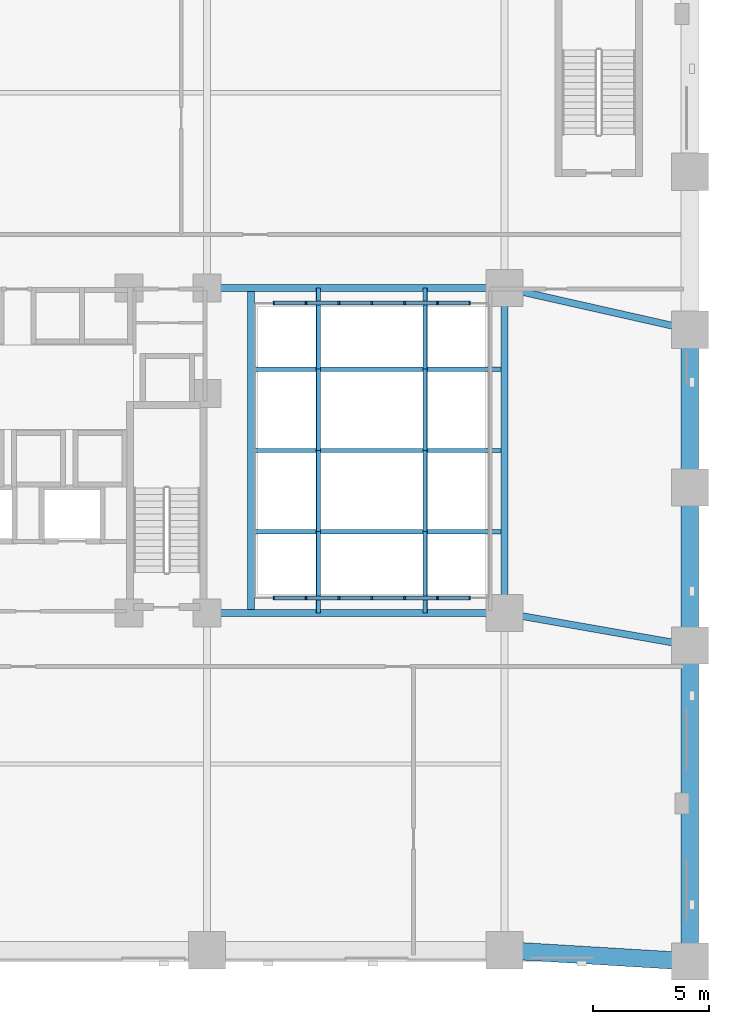
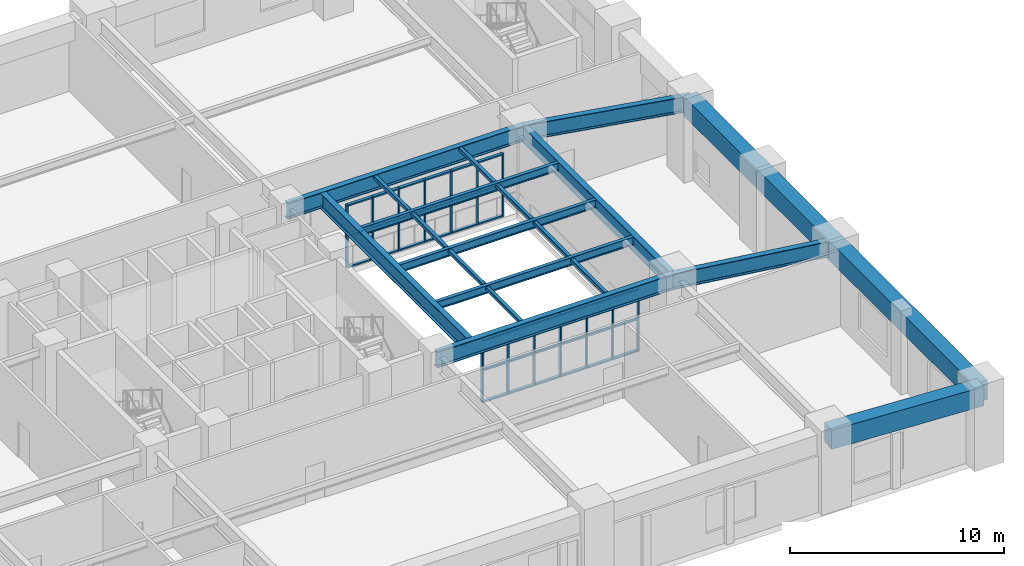
# One storey, part 2 of 11: 58 members, 13 beams, 2 elements without a shape of their own.
"""IFC4 building model written with IfcOpenShell, lengths in metres."""

from ifc_helpers import new_model, si_unit, derived_unit, direction, frame, origin, origin_2d, place, context, subcontext, project, spatial, rectangle, hollow_rectangle, i_section, extrude, material, material_profile, profile_set, type_object, element, aggregate, save


model = new_model("IFC4")

# Units and contexts
model_context = context("Model", 3, precision=1e-05, world=origin(), true_north=direction((0.0, 1.0)))
body_context = subcontext(model_context, "Body", "Model", "MODEL_VIEW")
ifc_project = project(units=[si_unit("LENGTHUNIT", "METRE"), si_unit("AREAUNIT", "SQUARE_METRE"), si_unit("VOLUMEUNIT", "CUBIC_METRE"), si_unit("PLANEANGLEUNIT", "RADIAN"), si_unit("MASSUNIT", "GRAM", prefix="KILO"), derived_unit("THERMALTRANSMITTANCEUNIT", [(si_unit("MASSUNIT", "GRAM", prefix="KILO"), 1), (si_unit("TIMEUNIT", "SECOND"), -3), (si_unit("THERMODYNAMICTEMPERATUREUNIT", "KELVIN"), -1)])], contexts=[model_context])

# Site, building, storey
site_placement = place(None, origin())
site = spatial("IfcSite", under=ifc_project, at=site_placement, CompositionType="ELEMENT")
building_placement = place(site_placement, origin())
building = spatial("IfcBuilding", under=site, at=building_placement, Name="Korrvale Station Residences", CompositionType="ELEMENT")
storey_placement = place(building_placement, frame((0.0, 0.0, 16.0)))
storey = spatial("IfcBuildingStorey", under=building, at=storey_placement, Name="L03", CompositionType="ELEMENT", Elevation=16.0)

# Beams
ifc_material_1 = material(Name="Steel S355", Category="steel")
ifc_material_profile_1 = material_profile(ifc_material_1, i_section(OverallWidth=0.300048828125, OverallDepth=0.89990234375, WebThickness=0.01611328125, FlangeThickness=0.030029296875, FilletRadius=0.01611328125, at=origin_2d()), Name="WWF900x262")
ifc_profile_set_1 = profile_set([ifc_material_profile_1], Name="Steel S355")
beam_type_1 = type_object("IfcBeamType", Name="BM-BM-WWF900x262-S355", PredefinedType="BEAM", material=ifc_profile_set_1)
beam_1_placement = place(storey_placement, frame((46.02001953125, 15.0, 3.89990234375), z_axis=(0.0, 1.0, 0.0), x_axis=(-1.0, 0.0, 0.0)))
element("IfcBeam", 1, at=beam_1_placement, inside=storey, type_object=beam_type_1, Name="L03 Station Primary Girder 05", PredefinedType="BEAM", context=body_context, shape_type="SweptSolid", body=[
    extrude(i_section(OverallWidth=0.300048828125, OverallDepth=0.89990234375, WebThickness=0.01611328125, FlangeThickness=0.030029296875, FilletRadius=0.01611328125, at=origin_2d()), origin(), (0.0, 0.0, 1.0), 14.0),
])
beam_2_placement = place(storey_placement, frame((46.02001953125, 15.0, 3.89990234375), z_axis=(0.98495900412, -0.172788194628, 0.0), x_axis=(0.172788194628, 0.98495900412, 0.0)))
element("IfcBeam", 2, at=beam_2_placement, inside=storey, type_object=beam_type_1, Name="L03 Station Primary Girder 13", PredefinedType="BEAM", context=body_context, shape_type="SweptSolid", body=[
    extrude(i_section(OverallWidth=0.300048828125, OverallDepth=0.89990234375, WebThickness=0.01611328125, FlangeThickness=0.030029296875, FilletRadius=0.01611328125, at=origin_2d()), origin(), (0.0, 0.0, 1.0), 8.101806640625),
])
beam_3_placement = place(storey_placement, frame((46.02001953125, 29.0, 3.89990234375), z_axis=(0.975490412643, -0.220041938824, 0.0), x_axis=(0.220041938824, 0.975490412643, 0.0)))
element("IfcBeam", 3, at=beam_3_placement, inside=storey, type_object=beam_type_1, Name="L03 Station Primary Girder 14", PredefinedType="BEAM", context=body_context, shape_type="SweptSolid", body=[
    extrude(i_section(OverallWidth=0.300048828125, OverallDepth=0.89990234375, WebThickness=0.01611328125, FlangeThickness=0.030029296875, FilletRadius=0.01611328125, at=origin_2d()), origin(), (0.0, 0.0, 1.0), 8.180419921875),
])
for number, where, z_axis, x_axis, name in (
    (4, (33.199951171875, 15.0, 3.89990234375), (1.0, 0.0, 0.0), (0.0, 1.0, 0.0), "L03 Station Primary Girder 15"),
    (5, (33.199951171875, 29.0, 3.89990234375), (1.0, 0.0, 0.0), (0.0, 1.0, 0.0), "L03 Station Primary Girder 16"),
):
    element("IfcBeam", number, at=place(storey_placement, frame(where, z_axis=z_axis, x_axis=x_axis)), inside=storey, type_object=beam_type_1, Name=name, PredefinedType="BEAM", context=body_context, shape_type="SweptSolid", body=[
        extrude(i_section(OverallWidth=0.300048828125, OverallDepth=0.89990234375, WebThickness=0.01611328125, FlangeThickness=0.030029296875, FilletRadius=0.01611328125, at=origin_2d()), origin(), (0.0, 0.0, 1.0), 12.820068359375),
    ])
beam_4_placement = place(storey_placement, frame((35.10009765625, 15.14990234375, 3.89990234375), z_axis=(0.0, 1.0, 0.0), x_axis=(-1.0, 0.0, 0.0)))
element("IfcBeam", 6, at=beam_4_placement, inside=storey, type_object=beam_type_1, Name="L03 Atrium West Edge Girder", PredefinedType="BEAM", context=body_context, shape_type="SweptSolid", body=[
    extrude(i_section(OverallWidth=0.300048828125, OverallDepth=0.89990234375, WebThickness=0.01611328125, FlangeThickness=0.030029296875, FilletRadius=0.01611328125, at=origin_2d()), origin(), (0.0, 0.0, 1.0), 13.7001953125),
])
ifc_material_profile_2 = material_profile(ifc_material_1, i_section(OverallWidth=0.18994140625, OverallDepth=0.45703125, WebThickness=0.009033203125, FlangeThickness=0.014404296875, FilletRadius=0.01611328125, at=origin_2d()), Name="W460x74")
ifc_profile_set_2 = profile_set([ifc_material_profile_2], Name="Steel S355")
beam_type_2 = type_object("IfcBeamType", Name="BM-JST-W460x74-S355", PredefinedType="JOIST", material=ifc_profile_set_2)
for number, where, z_axis, x_axis, name in (
    (7, (35.25, 18.5, 4.12158203125), (1.0, 0.0, 0.0), (0.0, 1.0, 0.0), "L03 Atrium Skylight Support Beam 1"),
    (8, (35.25, 22.0, 4.12158203125), (1.0, 0.0, 0.0), (0.0, 1.0, 0.0), "L03 Atrium Skylight Support Beam 2"),
    (9, (35.25, 25.5, 4.12158203125), (1.0, 0.0, 0.0), (0.0, 1.0, 0.0), "L03 Atrium Skylight Support Beam 3"),
):
    element("IfcBeam", number, at=place(storey_placement, frame(where, z_axis=z_axis, x_axis=x_axis)), inside=storey, type_object=beam_type_2, Name=name, PredefinedType="JOIST", context=body_context, shape_type="SweptSolid", body=[
        extrude(i_section(OverallWidth=0.18994140625, OverallDepth=0.45703125, WebThickness=0.009033203125, FlangeThickness=0.014404296875, FilletRadius=0.01611328125, at=origin_2d()), origin(), (0.0, 0.0, 1.0), 10.6201171875),
    ])
ifc_material_2 = material(Name="Concrete C70/85", Category="concrete")
ifc_material_profile_3 = material_profile(ifc_material_2, rectangle(XDim=0.75, YDim=1.10009765625, at=origin_2d()), Name="RCB750x1100")
ifc_profile_set_3 = profile_set([ifc_material_profile_3], Name="Concrete C70/85")
beam_type_3 = type_object("IfcBeamType", Name="BM-SPB-RCB750x1100-C7085", PredefinedType="SPANDREL", material=ifc_profile_set_3)
beam_5_placement = place(storey_placement, frame((54.0, 0.0, 3.800048828125), z_axis=(0.0, 1.0, 0.0), x_axis=(-1.0, 0.0, 0.0)))
element("IfcBeam", 10, at=beam_5_placement, inside=storey, type_object=beam_type_3, Name="L03 Station Spandrel Beam 06", PredefinedType="SPANDREL", context=body_context, shape_type="SweptSolid", body=[
    extrude(rectangle(XDim=0.75, YDim=1.10009765625, at=origin_2d()), origin(), (0.0, 0.0, 1.0), 13.60009765625),
])
beam_6_placement = place(storey_placement, frame((54.0, 13.60009765625, 3.800048828125), z_axis=(0.0, 1.0, 0.0), x_axis=(-1.0, 0.0, 0.0)))
element("IfcBeam", 11, at=beam_6_placement, inside=storey, type_object=beam_type_3, Name="L03 Station Spandrel Beam 07", PredefinedType="SPANDREL", context=body_context, shape_type="SweptSolid", body=[
    extrude(rectangle(XDim=0.75, YDim=1.10009765625, at=origin_2d()), origin(), (0.0, 0.0, 1.0), 6.7998046875),
])
beam_7_placement = place(storey_placement, frame((54.0, 20.39990234375, 3.800048828125), z_axis=(0.0, 1.0, 0.0), x_axis=(-1.0, 0.0, 0.0)))
element("IfcBeam", 12, at=beam_7_placement, inside=storey, type_object=beam_type_3, Name="L03 Station Spandrel Beam 08", PredefinedType="SPANDREL", context=body_context, shape_type="SweptSolid", body=[
    extrude(rectangle(XDim=0.75, YDim=1.10009765625, at=origin_2d()), origin(), (0.0, 0.0, 1.0), 6.800048828125),
])
beam_8_placement = place(storey_placement, frame((46.02001953125, 0.47998046875, 3.800048828125), z_axis=(0.998195997903, -0.060039568374, 0.0), x_axis=(0.060039568374, 0.998195997903, 0.0)))
element("IfcBeam", 13, at=beam_8_placement, inside=storey, type_object=beam_type_3, Name="L03 Station Spandrel Beam 15", PredefinedType="SPANDREL", context=body_context, shape_type="SweptSolid", body=[
    extrude(rectangle(XDim=0.75, YDim=1.10009765625, at=origin_2d()), origin(), (0.0, 0.0, 1.0), 7.994384765625),
])

# Curtain wall, members
ifc_material_3 = material(Name="Unitised thermally broken aluminium curtain wall with triple low-e IGU", Category="aluminium")
curtain_wall_type = type_object("IfcCurtainWallType", Name="CW-ATR-POD", PredefinedType="NOTDEFINED", material=ifc_material_3)
curtain_wall_1_placement = place(storey_placement, origin())
curtain_wall_1 = element("IfcCurtainWall", 14, at=curtain_wall_1_placement, inside=storey, type_object=curtain_wall_type, Name="L03 Curtain Wall CW3-RUN-5", PredefinedType="NOTDEFINED")
ifc_material_4 = material(Name="Extruded thermally broken aluminium mullion", Category="aluminium")
member_type_1 = type_object("IfcMemberType", Name="CW-ATR-POD-M", PredefinedType="MULLION", material=ifc_material_4)
member_1_placement = place(storey_placement, frame((36.090087890625, 15.64990234375, 0.0), z_axis=(0.0, 0.0, 1.0), x_axis=(1.0, 0.0, 0.0)))
member_1 = element("IfcMember", 15, at=member_1_placement, type_object=member_type_1, Name="CW-ATR-POD Mullion 1", PredefinedType="MULLION", context=body_context, shape_type="SweptSolid", body=[
    extrude(rectangle(XDim=0.080078125, YDim=0.1650390625, at=origin_2d()), origin(), (0.0, 0.0, 1.0), 3.60009765625),
])
member_2_placement = place(storey_placement, frame((37.466796875, 15.64990234375, 0.0), z_axis=(0.0, 0.0, 1.0), x_axis=(1.0, 0.0, 0.0)))
member_2 = element("IfcMember", 16, at=member_2_placement, type_object=member_type_1, Name="CW-ATR-POD Mullion 2", PredefinedType="MULLION", context=body_context, shape_type="SweptSolid", body=[
    extrude(rectangle(XDim=0.080078125, YDim=0.1650390625, at=origin_2d()), origin(), (0.0, 0.0, 1.0), 3.60009765625),
])
member_3_placement = place(storey_placement, frame((38.88330078125, 15.64990234375, 0.0), z_axis=(0.0, 0.0, 1.0), x_axis=(1.0, 0.0, 0.0)))
member_3 = element("IfcMember", 17, at=member_3_placement, type_object=member_type_1, Name="CW-ATR-POD Mullion 3", PredefinedType="MULLION", context=body_context, shape_type="SweptSolid", body=[
    extrude(rectangle(XDim=0.080078125, YDim=0.1650390625, at=origin_2d()), origin(), (0.0, 0.0, 1.0), 3.60009765625),
])
member_4_placement = place(storey_placement, frame((40.300048828125, 15.64990234375, 0.0), z_axis=(0.0, 0.0, 1.0), x_axis=(1.0, 0.0, 0.0)))
member_4 = element("IfcMember", 18, at=member_4_placement, type_object=member_type_1, Name="CW-ATR-POD Mullion 4", PredefinedType="MULLION", context=body_context, shape_type="SweptSolid", body=[
    extrude(rectangle(XDim=0.080078125, YDim=0.1650390625, at=origin_2d()), origin(), (0.0, 0.0, 1.0), 3.60009765625),
])
member_5_placement = place(storey_placement, frame((41.716796875, 15.64990234375, 0.0), z_axis=(0.0, 0.0, 1.0), x_axis=(1.0, 0.0, 0.0)))
member_5 = element("IfcMember", 19, at=member_5_placement, type_object=member_type_1, Name="CW-ATR-POD Mullion 5", PredefinedType="MULLION", context=body_context, shape_type="SweptSolid", body=[
    extrude(rectangle(XDim=0.080078125, YDim=0.1650390625, at=origin_2d()), origin(), (0.0, 0.0, 1.0), 3.60009765625),
])
member_6_placement = place(storey_placement, frame((43.13330078125, 15.64990234375, 0.0), z_axis=(0.0, 0.0, 1.0), x_axis=(1.0, 0.0, 0.0)))
member_6 = element("IfcMember", 20, at=member_6_placement, type_object=member_type_1, Name="CW-ATR-POD Mullion 6", PredefinedType="MULLION", context=body_context, shape_type="SweptSolid", body=[
    extrude(rectangle(XDim=0.080078125, YDim=0.1650390625, at=origin_2d()), origin(), (0.0, 0.0, 1.0), 3.60009765625),
])
member_7_placement = place(storey_placement, frame((44.510009765625, 15.64990234375, 0.0), z_axis=(0.0, 0.0, 1.0), x_axis=(1.0, 0.0, 0.0)))
member_7 = element("IfcMember", 21, at=member_7_placement, type_object=member_type_1, Name="CW-ATR-POD Mullion 7", PredefinedType="MULLION", context=body_context, shape_type="SweptSolid", body=[
    extrude(rectangle(XDim=0.080078125, YDim=0.1650390625, at=origin_2d()), origin(), (0.0, 0.0, 1.0), 3.60009765625),
])

curtain_wall_2_placement = place(storey_placement, origin())
curtain_wall_2 = element("IfcCurtainWall", 22, at=curtain_wall_2_placement, inside=storey, type_object=curtain_wall_type, Name="L03 Curtain Wall CW3-RUN-6", PredefinedType="NOTDEFINED")
member_8_placement = place(storey_placement, frame((36.090087890625, 28.35009765625, 0.0), z_axis=(0.0, 0.0, 1.0), x_axis=(1.0, 0.0, 0.0)))
member_8 = element("IfcMember", 23, at=member_8_placement, type_object=member_type_1, Name="CW-ATR-POD Mullion 1", PredefinedType="MULLION", context=body_context, shape_type="SweptSolid", body=[
    extrude(rectangle(XDim=0.080078125, YDim=0.1650390625, at=origin_2d()), origin(), (0.0, 0.0, 1.0), 3.60009765625),
])
member_9_placement = place(storey_placement, frame((37.466796875, 28.35009765625, 0.0), z_axis=(0.0, 0.0, 1.0), x_axis=(1.0, 0.0, 0.0)))
member_9 = element("IfcMember", 24, at=member_9_placement, type_object=member_type_1, Name="CW-ATR-POD Mullion 2", PredefinedType="MULLION", context=body_context, shape_type="SweptSolid", body=[
    extrude(rectangle(XDim=0.080078125, YDim=0.1650390625, at=origin_2d()), origin(), (0.0, 0.0, 1.0), 3.60009765625),
])
member_10_placement = place(storey_placement, frame((38.88330078125, 28.35009765625, 0.0), z_axis=(0.0, 0.0, 1.0), x_axis=(1.0, 0.0, 0.0)))
member_10 = element("IfcMember", 25, at=member_10_placement, type_object=member_type_1, Name="CW-ATR-POD Mullion 3", PredefinedType="MULLION", context=body_context, shape_type="SweptSolid", body=[
    extrude(rectangle(XDim=0.080078125, YDim=0.1650390625, at=origin_2d()), origin(), (0.0, 0.0, 1.0), 3.60009765625),
])
member_11_placement = place(storey_placement, frame((40.300048828125, 28.35009765625, 0.0), z_axis=(0.0, 0.0, 1.0), x_axis=(1.0, 0.0, 0.0)))
member_11 = element("IfcMember", 26, at=member_11_placement, type_object=member_type_1, Name="CW-ATR-POD Mullion 4", PredefinedType="MULLION", context=body_context, shape_type="SweptSolid", body=[
    extrude(rectangle(XDim=0.080078125, YDim=0.1650390625, at=origin_2d()), origin(), (0.0, 0.0, 1.0), 3.60009765625),
])
member_12_placement = place(storey_placement, frame((41.716796875, 28.35009765625, 0.0), z_axis=(0.0, 0.0, 1.0), x_axis=(1.0, 0.0, 0.0)))
member_12 = element("IfcMember", 27, at=member_12_placement, type_object=member_type_1, Name="CW-ATR-POD Mullion 5", PredefinedType="MULLION", context=body_context, shape_type="SweptSolid", body=[
    extrude(rectangle(XDim=0.080078125, YDim=0.1650390625, at=origin_2d()), origin(), (0.0, 0.0, 1.0), 3.60009765625),
])
member_13_placement = place(storey_placement, frame((43.13330078125, 28.35009765625, 0.0), z_axis=(0.0, 0.0, 1.0), x_axis=(1.0, 0.0, 0.0)))
member_13 = element("IfcMember", 28, at=member_13_placement, type_object=member_type_1, Name="CW-ATR-POD Mullion 6", PredefinedType="MULLION", context=body_context, shape_type="SweptSolid", body=[
    extrude(rectangle(XDim=0.080078125, YDim=0.1650390625, at=origin_2d()), origin(), (0.0, 0.0, 1.0), 3.60009765625),
])
member_14_placement = place(storey_placement, frame((44.510009765625, 28.35009765625, 0.0), z_axis=(0.0, 0.0, 1.0), x_axis=(1.0, 0.0, 0.0)))
member_14 = element("IfcMember", 29, at=member_14_placement, type_object=member_type_1, Name="CW-ATR-POD Mullion 7", PredefinedType="MULLION", context=body_context, shape_type="SweptSolid", body=[
    extrude(rectangle(XDim=0.080078125, YDim=0.1650390625, at=origin_2d()), origin(), (0.0, 0.0, 1.0), 3.60009765625),
])

# Member
ifc_material_5 = material(Name="Extruded thermally broken aluminium transom", Category="aluminium")
member_type_2 = type_object("IfcMemberType", Name="CW-ATR-POD-T", PredefinedType="USERDEFINED", material=ifc_material_5)
member_15_placement = place(storey_placement, frame((36.75830078125, 15.64990234375, 0.0), z_axis=(0.0, 0.0, 1.0), x_axis=(1.0, 0.0, 0.0)))
member_15 = element("IfcMember", 30, at=member_15_placement, type_object=member_type_2, Name="CW-ATR-POD Transom 1-1", ObjectType="TRANSOM", PredefinedType="USERDEFINED", context=body_context, shape_type="SweptSolid", body=[
    extrude(rectangle(XDim=1.336669921875, YDim=0.1650390625, at=origin_2d()), origin(), (0.0, 0.0, 1.0), 0.080078125),
])

member_16_placement = place(storey_placement, frame((36.75830078125, 15.64990234375, 1.81005859375), z_axis=(0.0, 0.0, 1.0), x_axis=(1.0, 0.0, 0.0)))
member_16 = element("IfcMember", 31, at=member_16_placement, type_object=member_type_2, Name="CW-ATR-POD Transom 1-2", ObjectType="TRANSOM", PredefinedType="USERDEFINED", context=body_context, shape_type="SweptSolid", body=[
    extrude(rectangle(XDim=1.336669921875, YDim=0.1650390625, at=origin_2d()), origin(), (0.0, 0.0, 1.0), 0.080078125),
])

member_17_placement = place(storey_placement, frame((36.75830078125, 15.64990234375, 3.52001953125), z_axis=(0.0, 0.0, 1.0), x_axis=(1.0, 0.0, 0.0)))
member_17 = element("IfcMember", 32, at=member_17_placement, type_object=member_type_2, Name="CW-ATR-POD Transom 1-3", ObjectType="TRANSOM", PredefinedType="USERDEFINED", context=body_context, shape_type="SweptSolid", body=[
    extrude(rectangle(XDim=1.336669921875, YDim=0.1650390625, at=origin_2d()), origin(), (0.0, 0.0, 1.0), 0.080078125),
])

member_18_placement = place(storey_placement, frame((38.175048828125, 15.64990234375, 0.0), z_axis=(0.0, 0.0, 1.0), x_axis=(1.0, 0.0, 0.0)))
member_18 = element("IfcMember", 33, at=member_18_placement, type_object=member_type_2, Name="CW-ATR-POD Transom 2-1", ObjectType="TRANSOM", PredefinedType="USERDEFINED", context=body_context, shape_type="SweptSolid", body=[
    extrude(rectangle(XDim=1.336669921875, YDim=0.1650390625, at=origin_2d()), origin(), (0.0, 0.0, 1.0), 0.080078125),
])

member_19_placement = place(storey_placement, frame((38.175048828125, 15.64990234375, 1.81005859375), z_axis=(0.0, 0.0, 1.0), x_axis=(1.0, 0.0, 0.0)))
member_19 = element("IfcMember", 34, at=member_19_placement, type_object=member_type_2, Name="CW-ATR-POD Transom 2-2", ObjectType="TRANSOM", PredefinedType="USERDEFINED", context=body_context, shape_type="SweptSolid", body=[
    extrude(rectangle(XDim=1.336669921875, YDim=0.1650390625, at=origin_2d()), origin(), (0.0, 0.0, 1.0), 0.080078125),
])

member_20_placement = place(storey_placement, frame((38.175048828125, 15.64990234375, 3.52001953125), z_axis=(0.0, 0.0, 1.0), x_axis=(1.0, 0.0, 0.0)))
member_20 = element("IfcMember", 35, at=member_20_placement, type_object=member_type_2, Name="CW-ATR-POD Transom 2-3", ObjectType="TRANSOM", PredefinedType="USERDEFINED", context=body_context, shape_type="SweptSolid", body=[
    extrude(rectangle(XDim=1.336669921875, YDim=0.1650390625, at=origin_2d()), origin(), (0.0, 0.0, 1.0), 0.080078125),
])

member_21_placement = place(storey_placement, frame((39.591796875, 15.64990234375, 0.0), z_axis=(0.0, 0.0, 1.0), x_axis=(1.0, 0.0, 0.0)))
member_21 = element("IfcMember", 36, at=member_21_placement, type_object=member_type_2, Name="CW-ATR-POD Transom 3-1", ObjectType="TRANSOM", PredefinedType="USERDEFINED", context=body_context, shape_type="SweptSolid", body=[
    extrude(rectangle(XDim=1.336669921875, YDim=0.1650390625, at=origin_2d()), origin(), (0.0, 0.0, 1.0), 0.080078125),
])

member_22_placement = place(storey_placement, frame((39.591796875, 15.64990234375, 1.81005859375), z_axis=(0.0, 0.0, 1.0), x_axis=(1.0, 0.0, 0.0)))
member_22 = element("IfcMember", 37, at=member_22_placement, type_object=member_type_2, Name="CW-ATR-POD Transom 3-2", ObjectType="TRANSOM", PredefinedType="USERDEFINED", context=body_context, shape_type="SweptSolid", body=[
    extrude(rectangle(XDim=1.336669921875, YDim=0.1650390625, at=origin_2d()), origin(), (0.0, 0.0, 1.0), 0.080078125),
])

member_23_placement = place(storey_placement, frame((39.591796875, 15.64990234375, 3.52001953125), z_axis=(0.0, 0.0, 1.0), x_axis=(1.0, 0.0, 0.0)))
member_23 = element("IfcMember", 38, at=member_23_placement, type_object=member_type_2, Name="CW-ATR-POD Transom 3-3", ObjectType="TRANSOM", PredefinedType="USERDEFINED", context=body_context, shape_type="SweptSolid", body=[
    extrude(rectangle(XDim=1.336669921875, YDim=0.1650390625, at=origin_2d()), origin(), (0.0, 0.0, 1.0), 0.080078125),
])

member_24_placement = place(storey_placement, frame((41.00830078125, 15.64990234375, 0.0), z_axis=(0.0, 0.0, 1.0), x_axis=(1.0, 0.0, 0.0)))
member_24 = element("IfcMember", 39, at=member_24_placement, type_object=member_type_2, Name="CW-ATR-POD Transom 4-1", ObjectType="TRANSOM", PredefinedType="USERDEFINED", context=body_context, shape_type="SweptSolid", body=[
    extrude(rectangle(XDim=1.336669921875, YDim=0.1650390625, at=origin_2d()), origin(), (0.0, 0.0, 1.0), 0.080078125),
])

member_25_placement = place(storey_placement, frame((41.00830078125, 15.64990234375, 1.81005859375), z_axis=(0.0, 0.0, 1.0), x_axis=(1.0, 0.0, 0.0)))
member_25 = element("IfcMember", 40, at=member_25_placement, type_object=member_type_2, Name="CW-ATR-POD Transom 4-2", ObjectType="TRANSOM", PredefinedType="USERDEFINED", context=body_context, shape_type="SweptSolid", body=[
    extrude(rectangle(XDim=1.336669921875, YDim=0.1650390625, at=origin_2d()), origin(), (0.0, 0.0, 1.0), 0.080078125),
])

member_26_placement = place(storey_placement, frame((41.00830078125, 15.64990234375, 3.52001953125), z_axis=(0.0, 0.0, 1.0), x_axis=(1.0, 0.0, 0.0)))
member_26 = element("IfcMember", 41, at=member_26_placement, type_object=member_type_2, Name="CW-ATR-POD Transom 4-3", ObjectType="TRANSOM", PredefinedType="USERDEFINED", context=body_context, shape_type="SweptSolid", body=[
    extrude(rectangle(XDim=1.336669921875, YDim=0.1650390625, at=origin_2d()), origin(), (0.0, 0.0, 1.0), 0.080078125),
])

member_27_placement = place(storey_placement, frame((42.425048828125, 15.64990234375, 0.0), z_axis=(0.0, 0.0, 1.0), x_axis=(1.0, 0.0, 0.0)))
member_27 = element("IfcMember", 42, at=member_27_placement, type_object=member_type_2, Name="CW-ATR-POD Transom 5-1", ObjectType="TRANSOM", PredefinedType="USERDEFINED", context=body_context, shape_type="SweptSolid", body=[
    extrude(rectangle(XDim=1.336669921875, YDim=0.1650390625, at=origin_2d()), origin(), (0.0, 0.0, 1.0), 0.080078125),
])

member_28_placement = place(storey_placement, frame((42.425048828125, 15.64990234375, 1.81005859375), z_axis=(0.0, 0.0, 1.0), x_axis=(1.0, 0.0, 0.0)))
member_28 = element("IfcMember", 43, at=member_28_placement, type_object=member_type_2, Name="CW-ATR-POD Transom 5-2", ObjectType="TRANSOM", PredefinedType="USERDEFINED", context=body_context, shape_type="SweptSolid", body=[
    extrude(rectangle(XDim=1.336669921875, YDim=0.1650390625, at=origin_2d()), origin(), (0.0, 0.0, 1.0), 0.080078125),
])

member_29_placement = place(storey_placement, frame((42.425048828125, 15.64990234375, 3.52001953125), z_axis=(0.0, 0.0, 1.0), x_axis=(1.0, 0.0, 0.0)))
member_29 = element("IfcMember", 44, at=member_29_placement, type_object=member_type_2, Name="CW-ATR-POD Transom 5-3", ObjectType="TRANSOM", PredefinedType="USERDEFINED", context=body_context, shape_type="SweptSolid", body=[
    extrude(rectangle(XDim=1.336669921875, YDim=0.1650390625, at=origin_2d()), origin(), (0.0, 0.0, 1.0), 0.080078125),
])

member_30_placement = place(storey_placement, frame((43.841796875, 15.64990234375, 0.0), z_axis=(0.0, 0.0, 1.0), x_axis=(1.0, 0.0, 0.0)))
member_30 = element("IfcMember", 45, at=member_30_placement, type_object=member_type_2, Name="CW-ATR-POD Transom 6-1", ObjectType="TRANSOM", PredefinedType="USERDEFINED", context=body_context, shape_type="SweptSolid", body=[
    extrude(rectangle(XDim=1.336669921875, YDim=0.1650390625, at=origin_2d()), origin(), (0.0, 0.0, 1.0), 0.080078125),
])

member_31_placement = place(storey_placement, frame((43.841796875, 15.64990234375, 1.81005859375), z_axis=(0.0, 0.0, 1.0), x_axis=(1.0, 0.0, 0.0)))
member_31 = element("IfcMember", 46, at=member_31_placement, type_object=member_type_2, Name="CW-ATR-POD Transom 6-2", ObjectType="TRANSOM", PredefinedType="USERDEFINED", context=body_context, shape_type="SweptSolid", body=[
    extrude(rectangle(XDim=1.336669921875, YDim=0.1650390625, at=origin_2d()), origin(), (0.0, 0.0, 1.0), 0.080078125),
])

member_32_placement = place(storey_placement, frame((43.841796875, 15.64990234375, 3.52001953125), z_axis=(0.0, 0.0, 1.0), x_axis=(1.0, 0.0, 0.0)))
member_32 = element("IfcMember", 47, at=member_32_placement, type_object=member_type_2, Name="CW-ATR-POD Transom 6-3", ObjectType="TRANSOM", PredefinedType="USERDEFINED", context=body_context, shape_type="SweptSolid", body=[
    extrude(rectangle(XDim=1.336669921875, YDim=0.1650390625, at=origin_2d()), origin(), (0.0, 0.0, 1.0), 0.080078125),
])

aggregate(curtain_wall_1, [member_1, member_2, member_3, member_4, member_5, member_6, member_7, member_15, member_16, member_17, member_18, member_19, member_20, member_21, member_22, member_23, member_24, member_25, member_26, member_27, member_28, member_29, member_30, member_31, member_32])

member_33_placement = place(storey_placement, frame((36.75830078125, 28.35009765625, 0.0), z_axis=(0.0, 0.0, 1.0), x_axis=(1.0, 0.0, 0.0)))
member_33 = element("IfcMember", 48, at=member_33_placement, type_object=member_type_2, Name="CW-ATR-POD Transom 1-1", ObjectType="TRANSOM", PredefinedType="USERDEFINED", context=body_context, shape_type="SweptSolid", body=[
    extrude(rectangle(XDim=1.336669921875, YDim=0.1650390625, at=origin_2d()), origin(), (0.0, 0.0, 1.0), 0.080078125),
])

member_34_placement = place(storey_placement, frame((36.75830078125, 28.35009765625, 1.81005859375), z_axis=(0.0, 0.0, 1.0), x_axis=(1.0, 0.0, 0.0)))
member_34 = element("IfcMember", 49, at=member_34_placement, type_object=member_type_2, Name="CW-ATR-POD Transom 1-2", ObjectType="TRANSOM", PredefinedType="USERDEFINED", context=body_context, shape_type="SweptSolid", body=[
    extrude(rectangle(XDim=1.336669921875, YDim=0.1650390625, at=origin_2d()), origin(), (0.0, 0.0, 1.0), 0.080078125),
])

member_35_placement = place(storey_placement, frame((36.75830078125, 28.35009765625, 3.52001953125), z_axis=(0.0, 0.0, 1.0), x_axis=(1.0, 0.0, 0.0)))
member_35 = element("IfcMember", 50, at=member_35_placement, type_object=member_type_2, Name="CW-ATR-POD Transom 1-3", ObjectType="TRANSOM", PredefinedType="USERDEFINED", context=body_context, shape_type="SweptSolid", body=[
    extrude(rectangle(XDim=1.336669921875, YDim=0.1650390625, at=origin_2d()), origin(), (0.0, 0.0, 1.0), 0.080078125),
])

member_36_placement = place(storey_placement, frame((38.175048828125, 28.35009765625, 0.0), z_axis=(0.0, 0.0, 1.0), x_axis=(1.0, 0.0, 0.0)))
member_36 = element("IfcMember", 51, at=member_36_placement, type_object=member_type_2, Name="CW-ATR-POD Transom 2-1", ObjectType="TRANSOM", PredefinedType="USERDEFINED", context=body_context, shape_type="SweptSolid", body=[
    extrude(rectangle(XDim=1.336669921875, YDim=0.1650390625, at=origin_2d()), origin(), (0.0, 0.0, 1.0), 0.080078125),
])

member_37_placement = place(storey_placement, frame((38.175048828125, 28.35009765625, 1.81005859375), z_axis=(0.0, 0.0, 1.0), x_axis=(1.0, 0.0, 0.0)))
member_37 = element("IfcMember", 52, at=member_37_placement, type_object=member_type_2, Name="CW-ATR-POD Transom 2-2", ObjectType="TRANSOM", PredefinedType="USERDEFINED", context=body_context, shape_type="SweptSolid", body=[
    extrude(rectangle(XDim=1.336669921875, YDim=0.1650390625, at=origin_2d()), origin(), (0.0, 0.0, 1.0), 0.080078125),
])

member_38_placement = place(storey_placement, frame((38.175048828125, 28.35009765625, 3.52001953125), z_axis=(0.0, 0.0, 1.0), x_axis=(1.0, 0.0, 0.0)))
member_38 = element("IfcMember", 53, at=member_38_placement, type_object=member_type_2, Name="CW-ATR-POD Transom 2-3", ObjectType="TRANSOM", PredefinedType="USERDEFINED", context=body_context, shape_type="SweptSolid", body=[
    extrude(rectangle(XDim=1.336669921875, YDim=0.1650390625, at=origin_2d()), origin(), (0.0, 0.0, 1.0), 0.080078125),
])

member_39_placement = place(storey_placement, frame((39.591796875, 28.35009765625, 0.0), z_axis=(0.0, 0.0, 1.0), x_axis=(1.0, 0.0, 0.0)))
member_39 = element("IfcMember", 54, at=member_39_placement, type_object=member_type_2, Name="CW-ATR-POD Transom 3-1", ObjectType="TRANSOM", PredefinedType="USERDEFINED", context=body_context, shape_type="SweptSolid", body=[
    extrude(rectangle(XDim=1.336669921875, YDim=0.1650390625, at=origin_2d()), origin(), (0.0, 0.0, 1.0), 0.080078125),
])

member_40_placement = place(storey_placement, frame((39.591796875, 28.35009765625, 1.81005859375), z_axis=(0.0, 0.0, 1.0), x_axis=(1.0, 0.0, 0.0)))
member_40 = element("IfcMember", 55, at=member_40_placement, type_object=member_type_2, Name="CW-ATR-POD Transom 3-2", ObjectType="TRANSOM", PredefinedType="USERDEFINED", context=body_context, shape_type="SweptSolid", body=[
    extrude(rectangle(XDim=1.336669921875, YDim=0.1650390625, at=origin_2d()), origin(), (0.0, 0.0, 1.0), 0.080078125),
])

member_41_placement = place(storey_placement, frame((39.591796875, 28.35009765625, 3.52001953125), z_axis=(0.0, 0.0, 1.0), x_axis=(1.0, 0.0, 0.0)))
member_41 = element("IfcMember", 56, at=member_41_placement, type_object=member_type_2, Name="CW-ATR-POD Transom 3-3", ObjectType="TRANSOM", PredefinedType="USERDEFINED", context=body_context, shape_type="SweptSolid", body=[
    extrude(rectangle(XDim=1.336669921875, YDim=0.1650390625, at=origin_2d()), origin(), (0.0, 0.0, 1.0), 0.080078125),
])

member_42_placement = place(storey_placement, frame((41.00830078125, 28.35009765625, 0.0), z_axis=(0.0, 0.0, 1.0), x_axis=(1.0, 0.0, 0.0)))
member_42 = element("IfcMember", 57, at=member_42_placement, type_object=member_type_2, Name="CW-ATR-POD Transom 4-1", ObjectType="TRANSOM", PredefinedType="USERDEFINED", context=body_context, shape_type="SweptSolid", body=[
    extrude(rectangle(XDim=1.336669921875, YDim=0.1650390625, at=origin_2d()), origin(), (0.0, 0.0, 1.0), 0.080078125),
])

member_43_placement = place(storey_placement, frame((41.00830078125, 28.35009765625, 1.81005859375), z_axis=(0.0, 0.0, 1.0), x_axis=(1.0, 0.0, 0.0)))
member_43 = element("IfcMember", 58, at=member_43_placement, type_object=member_type_2, Name="CW-ATR-POD Transom 4-2", ObjectType="TRANSOM", PredefinedType="USERDEFINED", context=body_context, shape_type="SweptSolid", body=[
    extrude(rectangle(XDim=1.336669921875, YDim=0.1650390625, at=origin_2d()), origin(), (0.0, 0.0, 1.0), 0.080078125),
])

member_44_placement = place(storey_placement, frame((41.00830078125, 28.35009765625, 3.52001953125), z_axis=(0.0, 0.0, 1.0), x_axis=(1.0, 0.0, 0.0)))
member_44 = element("IfcMember", 59, at=member_44_placement, type_object=member_type_2, Name="CW-ATR-POD Transom 4-3", ObjectType="TRANSOM", PredefinedType="USERDEFINED", context=body_context, shape_type="SweptSolid", body=[
    extrude(rectangle(XDim=1.336669921875, YDim=0.1650390625, at=origin_2d()), origin(), (0.0, 0.0, 1.0), 0.080078125),
])

member_45_placement = place(storey_placement, frame((42.425048828125, 28.35009765625, 0.0), z_axis=(0.0, 0.0, 1.0), x_axis=(1.0, 0.0, 0.0)))
member_45 = element("IfcMember", 60, at=member_45_placement, type_object=member_type_2, Name="CW-ATR-POD Transom 5-1", ObjectType="TRANSOM", PredefinedType="USERDEFINED", context=body_context, shape_type="SweptSolid", body=[
    extrude(rectangle(XDim=1.336669921875, YDim=0.1650390625, at=origin_2d()), origin(), (0.0, 0.0, 1.0), 0.080078125),
])

member_46_placement = place(storey_placement, frame((42.425048828125, 28.35009765625, 1.81005859375), z_axis=(0.0, 0.0, 1.0), x_axis=(1.0, 0.0, 0.0)))
member_46 = element("IfcMember", 61, at=member_46_placement, type_object=member_type_2, Name="CW-ATR-POD Transom 5-2", ObjectType="TRANSOM", PredefinedType="USERDEFINED", context=body_context, shape_type="SweptSolid", body=[
    extrude(rectangle(XDim=1.336669921875, YDim=0.1650390625, at=origin_2d()), origin(), (0.0, 0.0, 1.0), 0.080078125),
])

member_47_placement = place(storey_placement, frame((42.425048828125, 28.35009765625, 3.52001953125), z_axis=(0.0, 0.0, 1.0), x_axis=(1.0, 0.0, 0.0)))
member_47 = element("IfcMember", 62, at=member_47_placement, type_object=member_type_2, Name="CW-ATR-POD Transom 5-3", ObjectType="TRANSOM", PredefinedType="USERDEFINED", context=body_context, shape_type="SweptSolid", body=[
    extrude(rectangle(XDim=1.336669921875, YDim=0.1650390625, at=origin_2d()), origin(), (0.0, 0.0, 1.0), 0.080078125),
])

member_48_placement = place(storey_placement, frame((43.841796875, 28.35009765625, 0.0), z_axis=(0.0, 0.0, 1.0), x_axis=(1.0, 0.0, 0.0)))
member_48 = element("IfcMember", 63, at=member_48_placement, type_object=member_type_2, Name="CW-ATR-POD Transom 6-1", ObjectType="TRANSOM", PredefinedType="USERDEFINED", context=body_context, shape_type="SweptSolid", body=[
    extrude(rectangle(XDim=1.336669921875, YDim=0.1650390625, at=origin_2d()), origin(), (0.0, 0.0, 1.0), 0.080078125),
])

member_49_placement = place(storey_placement, frame((43.841796875, 28.35009765625, 1.81005859375), z_axis=(0.0, 0.0, 1.0), x_axis=(1.0, 0.0, 0.0)))
member_49 = element("IfcMember", 64, at=member_49_placement, type_object=member_type_2, Name="CW-ATR-POD Transom 6-2", ObjectType="TRANSOM", PredefinedType="USERDEFINED", context=body_context, shape_type="SweptSolid", body=[
    extrude(rectangle(XDim=1.336669921875, YDim=0.1650390625, at=origin_2d()), origin(), (0.0, 0.0, 1.0), 0.080078125),
])

member_50_placement = place(storey_placement, frame((43.841796875, 28.35009765625, 3.52001953125), z_axis=(0.0, 0.0, 1.0), x_axis=(1.0, 0.0, 0.0)))
member_50 = element("IfcMember", 65, at=member_50_placement, type_object=member_type_2, Name="CW-ATR-POD Transom 6-3", ObjectType="TRANSOM", PredefinedType="USERDEFINED", context=body_context, shape_type="SweptSolid", body=[
    extrude(rectangle(XDim=1.336669921875, YDim=0.1650390625, at=origin_2d()), origin(), (0.0, 0.0, 1.0), 0.080078125),
])

aggregate(curtain_wall_2, [member_8, member_9, member_10, member_11, member_12, member_13, member_14, member_33, member_34, member_35, member_36, member_37, member_38, member_39, member_40, member_41, member_42, member_43, member_44, member_45, member_46, member_47, member_48, member_49, member_50])

# Members
ifc_material_profile_4 = material_profile(ifc_material_1, hollow_rectangle(XDim=0.203125, YDim=0.203125, WallThickness=0.0126953125, InnerFilletRadius=0.0126953125, OuterFilletRadius=0.025390625, at=origin_2d()), Name="HSS203x203x13")
ifc_profile_set_4 = profile_set([ifc_material_profile_4], Name="Steel S355")
member_type_3 = type_object("IfcMemberType", Name="MBR-STR-HSS203x203x13", PredefinedType="STRUT", material=ifc_profile_set_4)
for number, where, z_axis, x_axis, name in (
    (66, (38.0, 15.0, 4.12158203125), (0.0, 1.0, 0.0), (-1.0, 0.0, 0.0), "L03 Atrium Skylight Lateral Strut 1-38"),
    (67, (42.60009765625, 15.0, 4.12158203125), (0.0, 1.0, 0.0), (-1.0, 0.0, 0.0), "L03 Atrium Skylight Lateral Strut 1-42"),
    (68, (38.0, 18.5, 4.12158203125), (0.0, 1.0, 0.0), (-1.0, 0.0, 0.0), "L03 Atrium Skylight Lateral Strut 2-38"),
    (69, (42.60009765625, 18.5, 4.12158203125), (0.0, 1.0, 0.0), (-1.0, 0.0, 0.0), "L03 Atrium Skylight Lateral Strut 2-42"),
    (70, (38.0, 22.0, 4.12158203125), (0.0, 1.0, 0.0), (-1.0, 0.0, 0.0), "L03 Atrium Skylight Lateral Strut 3-38"),
    (71, (42.60009765625, 22.0, 4.12158203125), (0.0, 1.0, 0.0), (-1.0, 0.0, 0.0), "L03 Atrium Skylight Lateral Strut 3-42"),
    (72, (38.0, 25.5, 4.12158203125), (0.0, 1.0, 0.0), (-1.0, 0.0, 0.0), "L03 Atrium Skylight Lateral Strut 4-38"),
    (73, (42.60009765625, 25.5, 4.12158203125), (0.0, 1.0, 0.0), (-1.0, 0.0, 0.0), "L03 Atrium Skylight Lateral Strut 4-42"),
):
    element("IfcMember", number, at=place(storey_placement, frame(where, z_axis=z_axis, x_axis=x_axis)), inside=storey, type_object=member_type_3, Name=name, PredefinedType="STRUT", context=body_context, shape_type="SweptSolid", body=[
        extrude(hollow_rectangle(XDim=0.203125, YDim=0.203125, WallThickness=0.0126953125, InnerFilletRadius=0.0126953125, OuterFilletRadius=0.025390625, at=origin_2d()), origin(), (0.0, 0.0, 1.0), 3.5),
    ])

save(model, "model.ifc")
